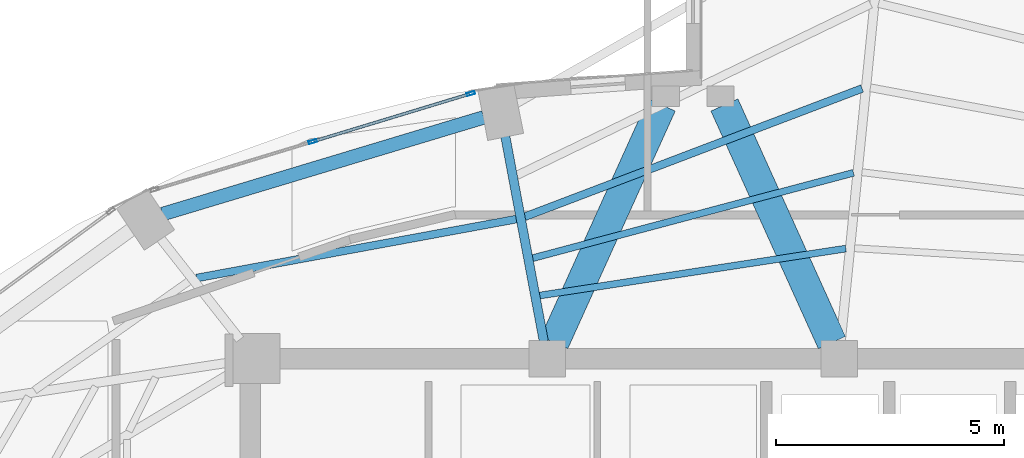
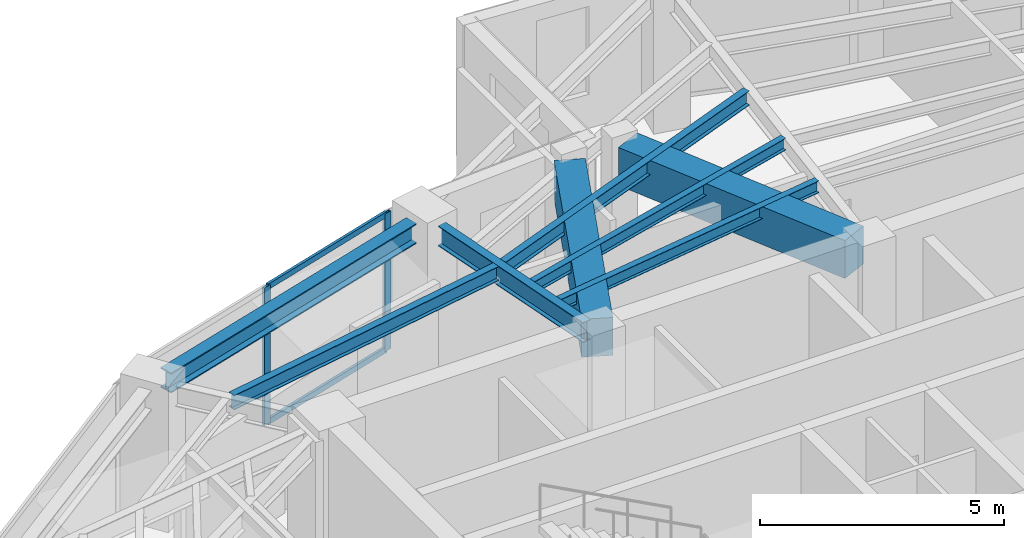
# One storey, part 11 of 23: 8 beams, 4 members, 1 element without a shape of its own.
"""IFC4 building model written with IfcOpenShell, lengths in metres."""

from ifc_helpers import new_model, si_unit, direction, frame, origin, origin_2d, place, context, subcontext, project, spatial, rectangle, hollow_rectangle, i_section, extrude, material, layer, layer_set, material_profile, profile_set, type_object, element, aggregate, save


model = new_model("IFC4")

# Units and contexts
model_context = context("Model", 3, precision=1e-05, world=origin(), true_north=direction((0.0, 1.0)))
body_context = subcontext(model_context, "Body", "Model", "MODEL_VIEW")
ifc_project = project(units=[si_unit("LENGTHUNIT", "METRE"), si_unit("AREAUNIT", "SQUARE_METRE"), si_unit("VOLUMEUNIT", "CUBIC_METRE"), si_unit("PLANEANGLEUNIT", "RADIAN"), si_unit("MASSUNIT", "GRAM", prefix="KILO")], contexts=[model_context])

# Site, building, storey
site_placement = place(None, origin())
site = spatial("IfcSite", under=ifc_project, at=site_placement, CompositionType="ELEMENT")
building_placement = place(site_placement, origin())
building = spatial("IfcBuilding", under=site, at=building_placement, Name="Lazwardi Medical Tower", CompositionType="ELEMENT")
storey_placement = place(building_placement, frame((0.0, 0.0, 262.320068359375)))
storey = spatial("IfcBuildingStorey", under=building, at=storey_placement, Name="L68", CompositionType="ELEMENT", Elevation=262.320068359375)

# Beams
ifc_material_1 = material(Name="Concrete C60/75", Category="concrete")
ifc_material_profile_1 = material_profile(ifc_material_1, rectangle(XDim=0.64990234375, YDim=0.949951171875, at=origin_2d()), Name="RC 650x950")
ifc_profile_set_1 = profile_set([ifc_material_profile_1], Name="Concrete C60/75")
beam_type_1 = type_object("IfcBeamType", Name="BM-CB-RC2", PredefinedType="LINTEL", material=ifc_profile_set_1)
for number, where, z_axis, x_axis, name in (
    (1, (32.95849609375, 35.95068359375, 2.972900390625), (0.412019279944, 0.911175127489, 0.0), (-0.911175127489, 0.412019279944, 0.0), "Core coupling lintel CB-02 PL1 L68"),
    (2, (39.04150390625, 35.95068359375, 2.972900390625), (-0.412019279944, 0.911175127489, 0.0), (-0.911175127489, -0.412019279944, 0.0), "Core coupling lintel CB-02 PL2 L68"),
):
    element("IfcBeam", number, at=place(storey_placement, frame(where, z_axis=z_axis, x_axis=x_axis)), inside=storey, type_object=beam_type_1, Name=name, PredefinedType="LINTEL", context=body_context, shape_type="SweptSolid", body=[
        extrude(rectangle(XDim=0.64990234375, YDim=0.949951171875, at=origin_2d()), origin(), (0.0, 0.0, 1.0), 5.7158203125),
    ])
ifc_material_2 = material(Name="Steel S355", Category="steel")
ifc_material_profile_2 = material_profile(ifc_material_2, i_section(OverallWidth=0.300048828125, OverallDepth=0.5, WebThickness=0.014404296875, FlangeThickness=0.028076171875, at=origin_2d()), Name="HEB 500")
ifc_profile_set_2 = profile_set([ifc_material_profile_2], Name="Steel S355")
beam_type_2 = type_object("IfcBeamType", Name="BM-RB-Z4", PredefinedType="BEAM", material=ifc_profile_set_2)
beam_1_placement = place(storey_placement, frame((31.41259765625, 40.885986328125, 3.197998046875), z_axis=(-0.957544311906, -0.288286126506, 0.0), x_axis=(0.288286126506, -0.957544311906, 0.0)))
element("IfcBeam", 3, at=beam_1_placement, inside=storey, type_object=beam_type_2, Name="Ring beam RB-05 B09 L68", PredefinedType="BEAM", context=body_context, shape_type="SweptSolid", body=[
    extrude(i_section(OverallWidth=0.300048828125, OverallDepth=0.5, WebThickness=0.014404296875, FlangeThickness=0.028076171875, at=origin_2d()), origin(), (0.0, 0.0, 1.0), 7.3515625),
])
ifc_material_profile_3 = material_profile(ifc_material_2, i_section(OverallWidth=0.199951171875, OverallDepth=0.5, WebThickness=0.01025390625, FlangeThickness=0.01611328125, at=origin_2d()), Name="IPE 500")
ifc_profile_set_3 = profile_set([ifc_material_profile_3], Name="Steel S355")
beam_type_3 = type_object("IfcBeamType", Name="BM-RG-W3", PredefinedType="BEAM", material=ifc_profile_set_3)
beam_2_placement = place(storey_placement, frame((31.884765625, 40.472412109375, 3.197998046875), z_axis=(0.184633463507, -0.982807450192, 0.0), x_axis=(0.982807450192, 0.184633463507, 0.0)))
element("IfcBeam", 4, at=beam_2_placement, inside=storey, type_object=beam_type_3, Name="Radial girder RG-04 R09 L68", PredefinedType="BEAM", context=body_context, shape_type="SweptSolid", body=[
    extrude(i_section(OverallWidth=0.199951171875, OverallDepth=0.5, WebThickness=0.01025390625, FlangeThickness=0.01611328125, at=origin_2d()), origin(), (0.0, 0.0, 1.0), 4.572509765625),
])
ifc_material_profile_4 = material_profile(ifc_material_2, i_section(OverallWidth=0.169921875, OverallDepth=0.360107421875, WebThickness=0.008056640625, FlangeThickness=0.0126953125, at=origin_2d()), Name="IPE 360")
ifc_profile_set_4 = profile_set([ifc_material_profile_4], Name="Steel S355")
beam_type_4 = type_object("IfcBeamType", Name="BM-SJ-02", PredefinedType="JOIST", material=ifc_profile_set_4)
beam_3_placement = place(storey_placement, frame((39.703125, 41.51904296875, 3.267822265625), z_axis=(-0.934714470268, -0.355399576633, 0.0), x_axis=(0.355399576633, -0.934714470268, 0.0)))
element("IfcBeam", 5, at=beam_3_placement, inside=storey, type_object=beam_type_4, Name="Secondary joist SJ-02 R2 B08 L68", PredefinedType="JOIST", context=body_context, shape_type="SweptSolid", body=[
    extrude(i_section(OverallWidth=0.169921875, OverallDepth=0.360107421875, WebThickness=0.008056640625, FlangeThickness=0.0126953125, at=origin_2d()), origin(), (0.0, 0.0, 1.0), 7.908203125),
])
beam_4_placement = place(storey_placement, frame((32.12890625, 38.65771484375, 3.267822265625), z_axis=(-0.983427965623, -0.181299300688, 0.0), x_axis=(0.181299300688, -0.983427965623, 0.0)))
element("IfcBeam", 6, at=beam_4_placement, inside=storey, type_object=beam_type_4, Name="Secondary joist SJ-02 R2 B09 L68", PredefinedType="JOIST", context=body_context, shape_type="SweptSolid", body=[
    extrude(i_section(OverallWidth=0.169921875, OverallDepth=0.360107421875, WebThickness=0.008056640625, FlangeThickness=0.0126953125, at=origin_2d()), origin(), (0.0, 0.0, 1.0), 7.127685546875),
])
ifc_material_profile_5 = material_profile(ifc_material_2, i_section(OverallWidth=0.14990234375, OverallDepth=0.300048828125, WebThickness=0.007080078125, FlangeThickness=0.0107421875, at=origin_2d()), Name="IPE 300")
ifc_profile_set_5 = profile_set([ifc_material_profile_5], Name="Steel S355")
beam_type_5 = type_object("IfcBeamType", Name="BM-SJ-03", PredefinedType="JOIST", material=ifc_profile_set_5)
beam_5_placement = place(storey_placement, frame((39.515380859375, 39.671875, 3.2978515625), z_axis=(-0.966369007826, -0.257159368316, 0.0), x_axis=(0.257159368316, -0.966369007826, 0.0)))
element("IfcBeam", 7, at=beam_5_placement, inside=storey, type_object=beam_type_5, Name="Secondary joist SJ-03 R3 B08 L68", PredefinedType="JOIST", context=body_context, shape_type="SweptSolid", body=[
    extrude(i_section(OverallWidth=0.14990234375, OverallDepth=0.300048828125, WebThickness=0.007080078125, FlangeThickness=0.0107421875, at=origin_2d()), origin(), (0.0, 0.0, 1.0), 7.27685546875),
])
beam_6_placement = place(storey_placement, frame((39.347412109375, 38.010986328125, 3.2978515625), z_axis=(-0.988433562862, -0.151654514629, 0.0), x_axis=(0.151654514629, -0.988433562862, 0.0)))
element("IfcBeam", 8, at=beam_6_placement, inside=storey, type_object=beam_type_5, Name="Secondary joist SJ-03 R4 B08 L68", PredefinedType="JOIST", context=body_context, shape_type="SweptSolid", body=[
    extrude(i_section(OverallWidth=0.14990234375, OverallDepth=0.300048828125, WebThickness=0.007080078125, FlangeThickness=0.0107421875, at=origin_2d()), origin(), (0.0, 0.0, 1.0), 6.788818359375),
])

# Curtain wall, members
ifc_material_3 = material(Name="Anodised bronze aluminium and solar control glazing", Category="aluminium")
ifc_layer = layer(ifc_material_3, 0.18994140625)
ifc_layer_set = layer_set([ifc_layer], Name="Anodised bronze aluminium and solar control glazing")
curtain_wall_type = type_object("IfcCurtainWallType", Name="CW-SYS-04", PredefinedType="NOTDEFINED", material=ifc_layer_set)
curtain_wall_placement = place(storey_placement, origin())
curtain_wall = element("IfcCurtainWall", 9, at=curtain_wall_placement, inside=storey, type_object=curtain_wall_type, Name="L68 Unitised bronze curtain wall CW-04", PredefinedType="NOTDEFINED")
ifc_material_4 = material(Name="Anodised bronze aluminium", Category="aluminium")
ifc_material_profile_6 = material_profile(ifc_material_4, hollow_rectangle(XDim=0.06494140625, YDim=0.179931640625, WallThickness=0.00390625, at=origin_2d()), Name="ALU-MULLION 180x65x4")
ifc_profile_set_6 = profile_set([ifc_material_profile_6], Name="Anodised bronze aluminium")
member_type_1 = type_object("IfcMemberType", Name="CW-MUL-03", PredefinedType="MULLION", material=ifc_profile_set_6)
member_1_placement = place(storey_placement, frame((31.126953125, 41.406982421875, 0.0), z_axis=(0.0, 0.0, 1.0), x_axis=(0.290581889515, -0.956850126972, 0.0)))
member_1 = element("IfcMember", 10, at=member_1_placement, type_object=member_type_1, Name="CW-04 mullion 1", PredefinedType="MULLION", context=body_context, shape_type="SweptSolid", body=[
    extrude(hollow_rectangle(XDim=0.06494140625, YDim=0.179931640625, WallThickness=0.00390625, at=origin_2d()), origin(), (0.0, 0.0, 1.0), 3.447998046875),
])
member_2_placement = place(storey_placement, frame((27.66357421875, 40.355224609375, 0.0), z_axis=(0.0, 0.0, 1.0), x_axis=(0.290581889515, -0.956850126972, 0.0)))
member_2 = element("IfcMember", 11, at=member_2_placement, type_object=member_type_1, Name="CW-04 mullion 2", PredefinedType="MULLION", context=body_context, shape_type="SweptSolid", body=[
    extrude(hollow_rectangle(XDim=0.06494140625, YDim=0.179931640625, WallThickness=0.00390625, at=origin_2d()), origin(), (0.0, 0.0, 1.0), 3.447998046875),
])
ifc_material_profile_7 = material_profile(ifc_material_4, hollow_rectangle(XDim=0.06494140625, YDim=0.139892578125, WallThickness=0.00341796875, at=origin_2d()), Name="ALU-TRANSOM 140x65x3.5")
ifc_profile_set_7 = profile_set([ifc_material_profile_7], Name="Anodised bronze aluminium")
member_type_2 = type_object("IfcMemberType", Name="CW-TRN-03", PredefinedType="USERDEFINED", material=ifc_profile_set_7)
member_3_placement = place(storey_placement, frame((31.095703125, 41.397705078125, 0.032470703125), z_axis=(-0.956843409009, -0.290604010015, 0.0), x_axis=(0.290604010015, -0.956843409009, 0.0)))
member_3 = element("IfcMember", 12, at=member_3_placement, type_object=member_type_2, Name="CW-04 transom 1.1", ObjectType="TRANSOM", PredefinedType="USERDEFINED", context=body_context, shape_type="SweptSolid", body=[
    extrude(hollow_rectangle(XDim=0.06494140625, YDim=0.139892578125, WallThickness=0.00341796875, at=origin_2d()), origin(), (0.0, 0.0, 1.0), 3.554443359375),
])
member_4_placement = place(storey_placement, frame((31.095703125, 41.397705078125, 3.41552734375), z_axis=(-0.956843409009, -0.290604010015, 0.0), x_axis=(0.290604010015, -0.956843409009, 0.0)))
member_4 = element("IfcMember", 13, at=member_4_placement, type_object=member_type_2, Name="CW-04 transom 1.2", ObjectType="TRANSOM", PredefinedType="USERDEFINED", context=body_context, shape_type="SweptSolid", body=[
    extrude(hollow_rectangle(XDim=0.06494140625, YDim=0.139892578125, WallThickness=0.00341796875, at=origin_2d()), origin(), (0.0, 0.0, 1.0), 3.554443359375),
])
aggregate(curtain_wall, [member_1, member_2, member_3, member_4])

save(model, "model.ifc")
